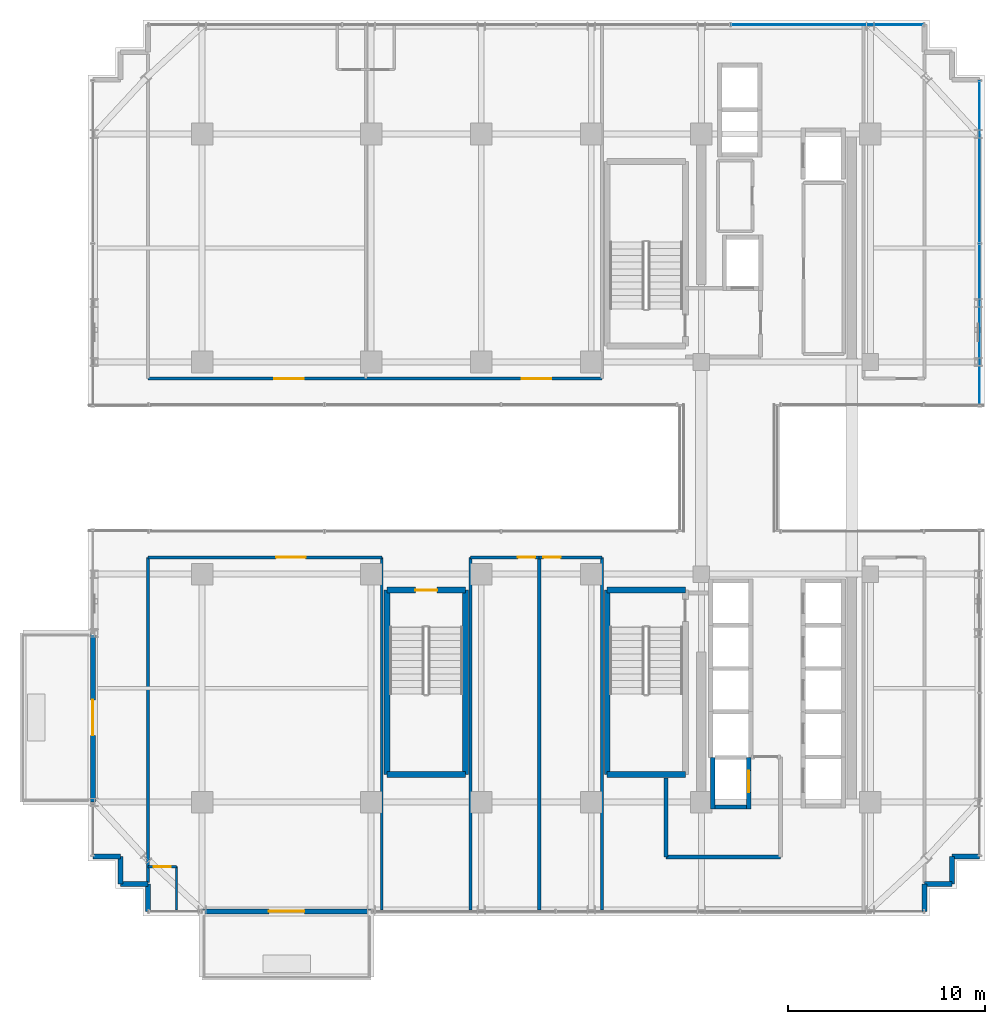
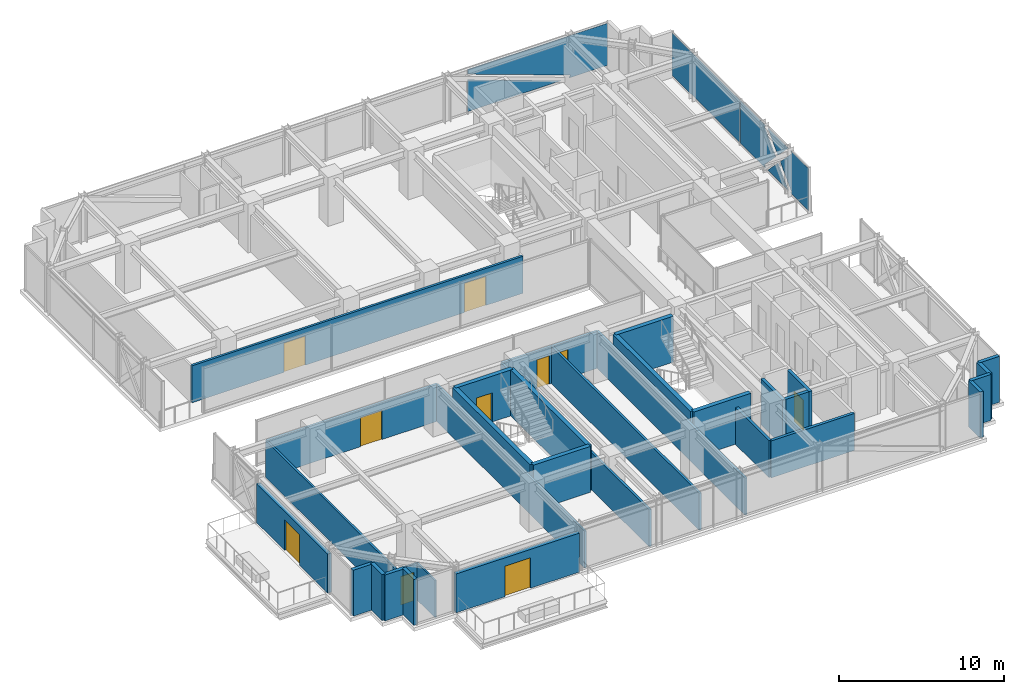
# One storey, part 29 of 36: 33 walls, 10 doors, 3 plates, 10 openings, 2 elements without a shape of their own.
"""IFC4 building model written with IfcOpenShell, lengths in metres."""

from ifc_helpers import new_model, si_unit, direction, frame, frame_2d, origin, origin_2d, place, context, subcontext, project, spatial, polyline, rectangle, outline, extrude, source, transform, mapped, material, layer, layer_set, type_object, element, fill, aggregate, save


model = new_model("IFC4")

# Units and contexts
model_context = context("Model", 3, precision=1e-05, world=origin(), true_north=direction((0.0, 1.0)))
body_context = subcontext(model_context, "Body", "Model", "MODEL_VIEW")
ifc_project = project(units=[si_unit("LENGTHUNIT", "METRE"), si_unit("AREAUNIT", "SQUARE_METRE"), si_unit("VOLUMEUNIT", "CUBIC_METRE"), si_unit("PLANEANGLEUNIT", "RADIAN"), si_unit("MASSUNIT", "GRAM", prefix="KILO")], contexts=[model_context])

# Site, building, storey
site_placement = place(None, origin())
site = spatial("IfcSite", under=ifc_project, at=site_placement, CompositionType="ELEMENT")
building_placement = place(site_placement, origin())
building = spatial("IfcBuilding", under=site, at=building_placement, Name="Nahalor Promenade Grand Hotel", CompositionType="ELEMENT")
storey_placement = place(building_placement, frame((0.0, 0.0, 170.89990234375)))
storey = spatial("IfcBuildingStorey", under=building, at=storey_placement, Name="L43", CompositionType="ELEMENT", Elevation=170.89990234375)

# Curtain wall, plate
ifc_material_1 = material(Name="Anodised Bronze Aluminium EN AW-6063 T6", Category="aluminium")
curtain_wall_type = type_object("IfcCurtainWallType", Name="CW3 Elliptical-Void Collar Unitised Curtain Wall", PredefinedType="USERDEFINED", material=ifc_material_1)
curtain_wall_1_placement = place(storey_placement, origin())
curtain_wall_1 = element("IfcCurtainWall", 1, at=curtain_wall_1_placement, inside=storey, type_object=curtain_wall_type, Name="L43 Curtain Wall CW-L43-N-1", ObjectType="UNITISED_CURTAIN_WALL", PredefinedType="USERDEFINED")
ifc_material_2 = material(Name="Low-E Laminated Solar Glass", Category="glass")
ifc_layer_1 = layer(ifc_material_2, 0.030029296875)
ifc_layer_set_1 = layer_set([ifc_layer_1], Name="Low-E Laminated Solar Glass")
plate_type = type_object("IfcPlateType", Name="CWP3 High-Wind Laminated Bronze IGU 30mm", PredefinedType="CURTAIN_PANEL", material=ifc_layer_set_1)
plate_1_placement = place(storey_placement, frame((14.802490234375, 22.56005859375, 0.14013671875), z_axis=(0.0, 0.0, 1.0), x_axis=(1.0, 0.0, 0.0)))
plate_1 = element("IfcPlate", 2, at=plate_1_placement, type_object=plate_type, Name="CW-L43-N-1 Glazing Panel 3-0", PredefinedType="CURTAIN_PANEL", context=body_context, shape_type="SweptSolid", body=[
    extrude(outline(polyline([(4.887451171875, 3.110107421875), (-4.887451171875, 3.110107421875), (-4.887451171875, 2.76806640625), (2.28857421875, 0.189697265625), (2.220458984375, 0.0), (4.887451171875, 0.0), (4.887451171875, 3.110107421875)])), frame((0.0, 0.01513671875, 0.0), z_axis=(0.0, -1.0, 0.0), x_axis=(1.0, 0.0, 0.0)), (0.0, 0.0, 1.0), 0.030029296875),
    extrude(outline(polyline([(-4.887451171875, 2.343017578125), (-4.887451171875, 0.0), (1.6337890625, 0.0), (-4.887451171875, 2.343017578125)])), frame((0.0, 0.01513671875, 0.0), z_axis=(0.0, -1.0, 0.0), x_axis=(1.0, 0.0, 0.0)), (0.0, 0.0, 1.0), 0.030029296875),
])
aggregate(curtain_wall_1, [plate_1])

# Curtain wall, plates
curtain_wall_2_placement = place(storey_placement, origin())
curtain_wall_2 = element("IfcCurtainWall", 3, at=curtain_wall_2_placement, inside=storey, type_object=curtain_wall_type, Name="L43 Curtain Wall CW-L43-E-2", ObjectType="UNITISED_CURTAIN_WALL", PredefinedType="USERDEFINED")
plate_2_placement = place(storey_placement, frame((22.56005859375, 7.282470703125, 0.14013671875), z_axis=(0.0, 0.0, 1.0), x_axis=(0.0, 1.0, 0.0)))
plate_2 = element("IfcPlate", 4, at=plate_2_placement, type_object=plate_type, Name="CW-L43-E-2 Glazing Panel 0-0", PredefinedType="CURTAIN_PANEL", context=body_context, shape_type="SweptSolid", body=[
    extrude(outline(polyline([(-4.112548828125, 3.110107421875), (-4.112548828125, 0.0), (-1.908203125, 0.0), (-2.04345703125, 0.13134765625), (-0.661376953125, 1.554931640625), (-2.04345703125, 2.978515625), (-1.908203125, 3.110107421875), (-4.112548828125, 3.110107421875)])), frame((0.0, 0.01513671875, 0.0), z_axis=(0.0, -1.0, 0.0), x_axis=(1.0, 0.0, 0.0)), (0.0, 0.0, 1.0), 0.030029296875),
    extrude(outline(polyline([(-0.382568359375, 1.267822265625), (-1.613525390625, 0.0), (0.848388671875, 0.0), (-0.382568359375, 1.267822265625)])), frame((0.0, 0.01513671875, 0.0), z_axis=(0.0, -1.0, 0.0), x_axis=(1.0, 0.0, 0.0)), (0.0, 0.0, 1.0), 0.030029296875),
    extrude(outline(polyline([(-0.382568359375, 1.842041015625), (0.848388671875, 3.110107421875), (-1.613525390625, 3.110107421875), (-0.382568359375, 1.842041015625)])), frame((0.0, 0.01513671875, 0.0), z_axis=(0.0, -1.0, 0.0), x_axis=(1.0, 0.0, 0.0)), (0.0, 0.0, 1.0), 0.030029296875),
    extrude(outline(polyline([(4.112548828125, 0.0), (4.112548828125, 3.110107421875), (1.14306640625, 3.110107421875), (1.2783203125, 2.978515625), (-0.103759765625, 1.554931640625), (1.2783203125, 0.13134765625), (1.14306640625, 0.0), (4.112548828125, 0.0)])), frame((0.0, 0.01513671875, 0.0), z_axis=(0.0, -1.0, 0.0), x_axis=(1.0, 0.0, 0.0)), (0.0, 0.0, 1.0), 0.030029296875),
])
shared_shape_1 = source(origin(), body_context, "Body", "SweptSolid", [
    extrude(rectangle(XDim=8.22509765625, YDim=0.030029296875, at=origin_2d()), origin(), (0.0, 0.0, 1.0), 3.110107421875),
])
plate_3_placement = place(storey_placement, frame((22.56005859375, 15.577392578125, 0.14013671875), z_axis=(0.0, 0.0, 1.0), x_axis=(0.0, 1.0, 0.0)))
plate_3 = element("IfcPlate", 5, at=plate_3_placement, type_object=plate_type, Name="CW-L43-E-2 Glazing Panel 1-0", PredefinedType="CURTAIN_PANEL", context=body_context, shape_type="MappedRepresentation", body=[
    mapped(shared_shape_1, transform((0.0, 0.0, 0.0), scale=1.0)),
])
aggregate(curtain_wall_2, [plate_2, plate_3])

# Walls
ifc_material_3 = material(Name="Concrete B-50 (C40/50)", Category="concrete")
ifc_layer_2 = layer(ifc_material_3, 0.300048828125)
ifc_layer_set_2 = layer_set([ifc_layer_2], Name="Concrete B-50 (C40/50)")
wall_type_1 = type_object("IfcWallType", Name="Wall-ShaftShear-300", PredefinedType="SHEAR", material=ifc_layer_set_2)
shared_shape_2 = source(origin(), body_context, "Body", "SweptSolid", [
    extrude(rectangle(XDim=3.97998046875, YDim=0.300048828125, at=frame_2d((1.989990234375, 0.0))), origin(), (0.0, 0.0, 1.0), 3.39013671875),
])
for number, where, z_axis, x_axis, name in (
    (6, (3.610107421875, -15.590087890625, 0.0), (0.0, 0.0, 1.0), (1.0, 0.0, 0.0), "L43 Exit Stair ST2 Shaft Wall S"),
    (7, (3.610107421875, -6.2099609375, 0.0), (0.0, 0.0, 1.0), (1.0, 0.0, 0.0), "L43 Exit Stair ST2 Shaft Wall N"),
    (8, (-7.590087890625, -15.590087890625, 0.0), (0.0, 0.0, 1.0), (1.0, 0.0, 0.0), "L43 Exit Stair ST3 Shaft Wall S"),
):
    element("IfcWall", number, at=place(storey_placement, frame(where, z_axis=z_axis, x_axis=x_axis)), inside=storey, type_object=wall_type_1, Name=name, PredefinedType="SHEAR", context=body_context, shape_type="MappedRepresentation", body=[
        mapped(shared_shape_2, transform((0.0, 0.0, 0.0), scale=1.0)),
    ])

# Wall, opening, door
wall_1_placement = place(storey_placement, frame((-7.590087890625, -6.2099609375, 0.0), z_axis=(0.0, 0.0, 1.0), x_axis=(1.0, 0.0, 0.0)))
wall_1 = element("IfcWall", 9, at=wall_1_placement, inside=storey, type_object=wall_type_1, Name="L43 Exit Stair ST3 Shaft Wall N", PredefinedType="SHEAR", context=body_context, shape_type="MappedRepresentation", body=[
    mapped(shared_shape_2, transform((0.0, 0.0, 0.0), scale=1.0)),
])
opening_1_placement = place(wall_1_placement, frame((1.43994140625, 0.0, 0.0)))
opening_1 = element("IfcOpeningElement", 10, at=opening_1_placement, cuts=wall_1, Name="Opening D-ST1", PredefinedType="OPENING", context=body_context, shape_type="SweptSolid", body=[
    extrude(rectangle(XDim=1.10009765625, YDim=2.14990234375, at=frame_2d((0.550048828125, 1.074951171875))), frame((0.0, 0.159912109375, 0.0), z_axis=(0.0, -1.0, 0.0), x_axis=(1.0, 0.0, 0.0)), (0.0, 0.0, 1.0), 0.320068359375),
])
ifc_material_4 = material(Name="Steel S355JR", Category="steel")
door_type_1 = type_object("IfcDoorType", Name="Door-StairFire-1100", OperationType="NOTDEFINED", PredefinedType="DOOR", material=ifc_material_4)
shared_shape_3 = source(origin(), body_context, "Body", "SweptSolid", [
    extrude(rectangle(XDim=1.10009765625, YDim=2.14990234375, at=frame_2d((0.550048828125, 1.074951171875))), frame((0.0, 0.02490234375, 0.0), z_axis=(0.0, -1.0, 0.0), x_axis=(1.0, 0.0, 0.0)), (0.0, 0.0, 1.0), 0.050048828125),
])
door_1_placement = place(opening_1_placement, frame((1.10009765625, 0.0, 0.0), z_axis=(0.0, 0.0, 1.0), x_axis=(-1.0, 0.0, 0.0)))
door_1 = element("IfcDoor", 11, at=door_1_placement, inside=storey, type_object=door_type_1, Name="DR-STAIR-ST3-L43", OperationType="SINGLE_SWING_RIGHT", OverallHeight=2.14990234375, OverallWidth=1.10009765625, PredefinedType="DOOR", context=body_context, shape_type="MappedRepresentation", body=[
    mapped(shared_shape_3, transform((0.0, 0.0, 0.0), scale=1.0)),
])
fill(opening_1, door_1)

# Walls
shared_shape_4 = source(origin(), body_context, "Body", "SweptSolid", [
    extrude(rectangle(XDim=9.380126953125, YDim=0.300048828125, at=frame_2d((4.68994140625, 0.0))), origin(), (0.0, 0.0, 1.0), 3.39013671875),
])
for number, where, z_axis, x_axis, name in (
    (12, (3.610107421875, -15.590087890625, 0.0), (0.0, 0.0, 1.0), (0.0, 1.0, 0.0), "L43 Exit Stair ST2 Shaft Wall W"),
    (13, (-7.590087890625, -15.590087890625, 0.0), (0.0, 0.0, 1.0), (0.0, 1.0, 0.0), "L43 Exit Stair ST3 Shaft Wall W"),
    (14, (-3.610107421875, -15.590087890625, 0.0), (0.0, 0.0, 1.0), (0.0, 1.0, 0.0), "L43 Exit Stair ST3 Shaft Wall E"),
):
    element("IfcWall", number, at=place(storey_placement, frame(where, z_axis=z_axis, x_axis=x_axis)), inside=storey, type_object=wall_type_1, Name=name, PredefinedType="SHEAR", context=body_context, shape_type="MappedRepresentation", body=[
        mapped(shared_shape_4, transform((0.0, 0.0, 0.0), scale=1.0)),
    ])
ifc_layer_3 = layer(ifc_material_3, 0.219970703125)
ifc_layer_set_3 = layer_set([ifc_layer_3], Name="Concrete B-50 (C40/50)")
wall_type_2 = type_object("IfcWallType", Name="Wall-LiftShaft-220", PredefinedType="SHEAR", material=ifc_layer_set_3)
shared_shape_5 = source(origin(), body_context, "Body", "SweptSolid", [
    extrude(rectangle(XDim=2.635009765625, YDim=0.219970703125, at=frame_2d((1.3173828125, 0.0))), origin(), (0.0, 0.0, 1.0), 3.39013671875),
])
wall_2_placement = place(storey_placement, frame((8.97998046875, -17.360107421875, 0.0), z_axis=(0.0, 0.0, 1.0), x_axis=(0.0, 1.0, 0.0)))
element("IfcWall", 15, at=wall_2_placement, inside=storey, type_object=wall_type_2, Name="L43 Lift FL2 Hoistway Wall W", PredefinedType="SHEAR", context=body_context, shape_type="MappedRepresentation", body=[
    mapped(shared_shape_5, transform((0.0, 0.0, 0.0), scale=1.0)),
])

# Wall, opening, door
wall_3_placement = place(storey_placement, frame((10.820068359375, -17.360107421875, 0.0), z_axis=(0.0, 0.0, 1.0), x_axis=(0.0, 1.0, 0.0)))
wall_3 = element("IfcWall", 16, at=wall_3_placement, inside=storey, type_object=wall_type_2, Name="L43 Lift FL2 Hoistway Wall E", PredefinedType="SHEAR", context=body_context, shape_type="MappedRepresentation", body=[
    mapped(shared_shape_5, transform((0.0, 0.0, 0.0), scale=1.0)),
])
opening_2_placement = place(wall_3_placement, frame((0.860107421875, 0.0, 0.0)))
opening_2 = element("IfcOpeningElement", 17, at=opening_2_placement, cuts=wall_3, Name="Opening LD-02", PredefinedType="OPENING", context=body_context, shape_type="SweptSolid", body=[
    extrude(rectangle(XDim=1.10009765625, YDim=2.199951171875, at=frame_2d((0.550048828125, 1.10009765625))), frame((0.0, 0.119873046875, 0.0), z_axis=(0.0, -1.0, 0.0), x_axis=(1.0, 0.0, 0.0)), (0.0, 0.0, 1.0), 0.239990234375),
])
door_type_2 = type_object("IfcDoorType", Name="Door-LiftFF-1100", OperationType="DOUBLE_DOOR_SLIDING", PredefinedType="DOOR", material=ifc_material_4)
shared_shape_6 = source(origin(), body_context, "Body", "SweptSolid", [
    extrude(rectangle(XDim=1.10009765625, YDim=2.199951171875, at=frame_2d((0.550048828125, 1.10009765625))), frame((0.0, 0.02490234375, 0.0), z_axis=(0.0, -1.0, 0.0), x_axis=(1.0, 0.0, 0.0)), (0.0, 0.0, 1.0), 0.050048828125),
])
door_2_placement = place(opening_2_placement, frame((1.10009765625, 0.0, 0.0), z_axis=(0.0, 0.0, 1.0), x_axis=(-1.0, 0.0, 0.0)))
door_2 = element("IfcDoor", 18, at=door_2_placement, inside=storey, type_object=door_type_2, Name="DR-LIFT-FL2-L43", OperationType="DOUBLE_DOOR_SLIDING", OverallHeight=2.199951171875, OverallWidth=1.10009765625, PredefinedType="DOOR", context=body_context, shape_type="MappedRepresentation", body=[
    mapped(shared_shape_6, transform((0.0, 0.0, 0.0), scale=1.0)),
])
fill(opening_2, door_2)

# Wall
shared_shape_7 = source(origin(), body_context, "Body", "SweptSolid", [
    extrude(rectangle(XDim=1.619873046875, YDim=0.219970703125, at=frame_2d((0.81005859375, 0.0))), origin(), (0.0, 0.0, 1.0), 3.39013671875),
])
wall_4_placement = place(storey_placement, frame((9.090087890625, -17.25, 0.0), z_axis=(0.0, 0.0, 1.0), x_axis=(1.0, 0.0, 0.0)))
element("IfcWall", 19, at=wall_4_placement, inside=storey, type_object=wall_type_2, Name="L43 Lift FL2 Hoistway Wall S", PredefinedType="SHEAR", context=body_context, shape_type="MappedRepresentation", body=[
    mapped(shared_shape_7, transform((0.0, 0.0, 0.0), scale=1.0)),
])

# Wall, opening, door
ifc_material_5 = material(Name="Concrete B-40 (C32/40)", Category="concrete")
ifc_layer_4 = layer(ifc_material_5, 0.260009765625)
ifc_layer_set_4 = layer_set([ifc_layer_4], Name="Concrete B-40 (C32/40)")
wall_type_3 = type_object("IfcWallType", Name="Wall-BalconyWall-260", PredefinedType="STANDARD", material=ifc_layer_set_4)
shared_shape_8 = source(origin(), body_context, "Body", "SweptSolid", [
    extrude(rectangle(XDim=8.60009765625, YDim=0.260009765625, at=frame_2d((4.300048828125, 0.0))), origin(), (0.0, 0.0, 1.0), 2.8701171875),
])
wall_5_placement = place(storey_placement, frame((-17.0, -22.56005859375, 0.0), z_axis=(0.0, 0.0, 1.0), x_axis=(1.0, 0.0, 0.0)))
wall_5 = element("IfcWall", 20, at=wall_5_placement, inside=storey, type_object=wall_type_3, Name="W-L43-BALC-S-2", PredefinedType="STANDARD", context=body_context, shape_type="MappedRepresentation", body=[
    mapped(shared_shape_8, transform((0.0, 0.0, 0.0), scale=1.0)),
])
opening_3_placement = place(wall_5_placement, frame((3.39990234375, 0.0, 0.0)))
opening_3 = element("IfcOpeningElement", 21, at=opening_3_placement, cuts=wall_5, Name="Opening D-BC1", PredefinedType="OPENING", context=body_context, shape_type="SweptSolid", body=[
    extrude(rectangle(XDim=1.800048828125, YDim=2.25, at=frame_2d((0.89990234375, 1.125))), frame((0.0, 0.139892578125, 0.0), z_axis=(0.0, -1.0, 0.0), x_axis=(1.0, 0.0, 0.0)), (0.0, 0.0, 1.0), 0.280029296875),
])
door_type_3 = type_object("IfcDoorType", Name="Door-BalconySlide-1800", OperationType="DOUBLE_DOOR_SLIDING", PredefinedType="DOOR", material=ifc_material_1)
shared_shape_9 = source(origin(), body_context, "Body", "SweptSolid", [
    extrude(rectangle(XDim=1.800048828125, YDim=2.25, at=frame_2d((0.89990234375, 1.125))), frame((0.0, 0.02490234375, 0.0), z_axis=(0.0, -1.0, 0.0), x_axis=(1.0, 0.0, 0.0)), (0.0, 0.0, 1.0), 0.050048828125),
])
door_3_placement = place(opening_3_placement, frame((1.800048828125, 0.0, 0.0), z_axis=(0.0, 0.0, 1.0), x_axis=(-1.0, 0.0, 0.0)))
door_3 = element("IfcDoor", 22, at=door_3_placement, inside=storey, type_object=door_type_3, Name="DR-L43-BALC-S-2", OperationType="DOUBLE_DOOR_SLIDING", OverallHeight=2.25, OverallWidth=1.800048828125, PredefinedType="DOOR", context=body_context, shape_type="MappedRepresentation", body=[
    mapped(shared_shape_9, transform((0.0, 0.0, 0.0), scale=1.0)),
])
fill(opening_3, door_3)

wall_6_placement = place(storey_placement, frame((-22.56005859375, -17.0, 0.0), z_axis=(0.0, 0.0, 1.0), x_axis=(0.0, 1.0, 0.0)))
wall_6 = element("IfcWall", 23, at=wall_6_placement, inside=storey, type_object=wall_type_3, Name="W-L43-BALC-W-2", PredefinedType="STANDARD", context=body_context, shape_type="MappedRepresentation", body=[
    mapped(shared_shape_8, transform((0.0, 0.0, 0.0), scale=1.0)),
])
opening_4_placement = place(wall_6_placement, frame((3.39990234375, 0.0, 0.0)))
opening_4 = element("IfcOpeningElement", 24, at=opening_4_placement, cuts=wall_6, Name="Opening D-BC1", PredefinedType="OPENING", context=body_context, shape_type="SweptSolid", body=[
    extrude(rectangle(XDim=1.800048828125, YDim=2.25, at=frame_2d((0.89990234375, 1.125))), frame((0.0, 0.139892578125, 0.0), z_axis=(0.0, -1.0, 0.0), x_axis=(1.0, 0.0, 0.0)), (0.0, 0.0, 1.0), 0.280029296875),
])
door_4_placement = place(opening_4_placement, origin())
door_4 = element("IfcDoor", 25, at=door_4_placement, inside=storey, type_object=door_type_3, Name="DR-L43-BALC-W-2", OperationType="DOUBLE_DOOR_SLIDING", OverallHeight=2.25, OverallWidth=1.800048828125, PredefinedType="DOOR", context=body_context, shape_type="MappedRepresentation", body=[
    mapped(shared_shape_9, transform((0.0, 0.0, 0.0), scale=1.0)),
])
fill(opening_4, door_4)

# Walls
ifc_layer_5 = layer(ifc_material_5, 0.25)
ifc_layer_set_5 = layer_set([ifc_layer_5], Name="Concrete B-40 (C32/40)")
wall_type_4 = type_object("IfcWallType", Name="Wall-BronzePier-250", PredefinedType="STANDARD", material=ifc_layer_set_5)
shared_shape_10 = source(origin(), body_context, "Body", "SweptSolid", [
    extrude(rectangle(XDim=1.400146484375, YDim=0.25, at=frame_2d((0.7001953125, 0.0))), origin(), (0.0, 0.0, 1.0), 3.39013671875),
])
for number, where, z_axis, x_axis, name in (
    (26, (19.760009765625, -22.56005859375, 0.0), (0.0, 0.0, 1.0), (0.0, 1.0, 0.0), "W-L43-SR-01"),
    (27, (21.159912109375, -19.760009765625, 0.0), (0.0, 0.0, 1.0), (1.0, 0.0, 0.0), "W-L43-SR-04"),
    (28, (-22.56005859375, -19.760009765625, 0.0), (0.0, 0.0, 1.0), (1.0, 0.0, 0.0), "W-L43-SR-13"),
    (29, (-19.760009765625, -22.56005859375, 0.0), (0.0, 0.0, 1.0), (0.0, 1.0, 0.0), "W-L43-SR-16"),
):
    element("IfcWall", number, at=place(storey_placement, frame(where, z_axis=z_axis, x_axis=x_axis)), inside=storey, type_object=wall_type_4, Name=name, PredefinedType="STANDARD", context=body_context, shape_type="MappedRepresentation", body=[
        mapped(shared_shape_10, transform((0.0, 0.0, 0.0), scale=1.0)),
    ])
shared_shape_11 = source(origin(), body_context, "Body", "SweptSolid", [
    extrude(rectangle(XDim=1.39990234375, YDim=0.25, at=frame_2d((0.699951171875, 0.0))), origin(), (0.0, 0.0, 1.0), 3.39013671875),
])
for number, where, z_axis, x_axis, name in (
    (30, (19.760009765625, -21.159912109375, 0.0), (0.0, 0.0, 1.0), (1.0, 0.0, 0.0), "W-L43-SR-02"),
    (31, (21.159912109375, -21.159912109375, 0.0), (0.0, 0.0, 1.0), (0.0, 1.0, 0.0), "W-L43-SR-03"),
    (32, (-21.159912109375, -21.159912109375, 0.0), (0.0, 0.0, 1.0), (0.0, 1.0, 0.0), "W-L43-SR-14"),
    (33, (-21.159912109375, -21.159912109375, 0.0), (0.0, 0.0, 1.0), (1.0, 0.0, 0.0), "W-L43-SR-15"),
):
    element("IfcWall", number, at=place(storey_placement, frame(where, z_axis=z_axis, x_axis=x_axis)), inside=storey, type_object=wall_type_4, Name=name, PredefinedType="STANDARD", context=body_context, shape_type="MappedRepresentation", body=[
        mapped(shared_shape_11, transform((0.0, 0.0, 0.0), scale=1.0)),
    ])
ifc_layer_6 = layer(ifc_material_5, 0.199951171875)
ifc_layer_set_6 = layer_set([ifc_layer_6], Name="Concrete B-40 (C32/40)")
wall_type_5 = type_object("IfcWallType", Name="Wall-PartFire-200", PredefinedType="PARTITIONING", material=ifc_layer_set_6)
shared_shape_12 = source(origin(), body_context, "Body", "SweptSolid", [
    extrude(rectangle(XDim=5.81982421875, YDim=0.199951171875, at=frame_2d((2.909912109375, 0.0))), origin(), (0.0, 0.0, 1.0), 2.72998046875),
])
wall_7_placement = place(storey_placement, frame((6.60009765625, -19.800048828125, 0.0), z_axis=(0.0, 0.0, 1.0), x_axis=(1.0, 0.0, 0.0)))
element("IfcWall", 34, at=wall_7_placement, inside=storey, type_object=wall_type_5, Name="W-L43-FF2-S1", PredefinedType="PARTITIONING", context=body_context, shape_type="MappedRepresentation", body=[
    mapped(shared_shape_12, transform((0.0, 0.0, 0.0), scale=1.0)),
])
shared_shape_13 = source(origin(), body_context, "Body", "SweptSolid", [
    extrude(rectangle(XDim=4.030029296875, YDim=0.199951171875, at=frame_2d((2.01513671875, 0.0))), origin(), (0.0, 0.0, 1.0), 2.72998046875),
])
wall_8_placement = place(storey_placement, frame((6.60009765625, -19.800048828125, 0.0), z_axis=(0.0, 0.0, 1.0), x_axis=(0.0, 1.0, 0.0)))
element("IfcWall", 35, at=wall_8_placement, inside=storey, type_object=wall_type_5, Name="W-L43-FF2-W1", PredefinedType="PARTITIONING", context=body_context, shape_type="MappedRepresentation", body=[
    mapped(shared_shape_13, transform((0.0, 0.0, 0.0), scale=1.0)),
])
ifc_material_6 = material(Name="Acoustic Mineral Gypsum", Category="gypsum")
ifc_layer_7 = layer(ifc_material_6, 0.159912109375)
ifc_layer_set_7 = layer_set([ifc_layer_7], Name="Acoustic Mineral Gypsum")
wall_type_6 = type_object("IfcWallType", Name="Wall-PartCorridor-160", PredefinedType="PARTITIONING", material=ifc_layer_set_7)
shared_shape_14 = source(origin(), body_context, "Body", "SweptSolid", [
    extrude(rectangle(XDim=17.949951171875, YDim=0.159912109375, at=frame_2d((8.97509765625, 0.0))), origin(), (0.0, 0.0, 1.0), 2.72998046875),
])
for number, where, z_axis, x_axis, name in (
    (36, (-3.340087890625, -22.5, 0.0), (0.0, 0.0, 1.0), (0.0, 1.0, 0.0), "W-L43-SCB1-W"),
    (37, (0.14990234375, -22.5, 0.0), (0.0, 0.0, 1.0), (0.0, 1.0, 0.0), "W-L43-SCB1-E"),
    (38, (3.340087890625, -22.5, 0.0), (0.0, 0.0, 1.0), (0.0, 1.0, 0.0), "W-L43-SCB2-E"),
):
    element("IfcWall", number, at=place(storey_placement, frame(where, z_axis=z_axis, x_axis=x_axis)), inside=storey, type_object=wall_type_6, Name=name, PredefinedType="PARTITIONING", context=body_context, shape_type="MappedRepresentation", body=[
        mapped(shared_shape_14, transform((0.0, 0.0, 0.0), scale=1.0)),
    ])

# Wall, opening, door
ifc_layer_8 = layer(ifc_material_6, 0.1201171875)
ifc_layer_set_8 = layer_set([ifc_layer_8], Name="Acoustic Mineral Gypsum")
wall_type_7 = type_object("IfcWallType", Name="Wall-PartBath-120", PredefinedType="PARTITIONING", material=ifc_layer_set_8)
shared_shape_15 = source(origin(), body_context, "Body", "SweptSolid", [
    extrude(rectangle(XDim=1.449951171875, YDim=0.1201171875, at=frame_2d((0.72509765625, 0.0))), origin(), (0.0, 0.0, 1.0), 2.72998046875),
])
wall_9_placement = place(storey_placement, frame((-19.760009765625, -20.280029296875, 0.0), z_axis=(0.0, 0.0, 1.0), x_axis=(1.0, 0.0, 0.0)))
wall_9 = element("IfcWall", 39, at=wall_9_placement, inside=storey, type_object=wall_type_7, Name="W-L43-S1-BH", PredefinedType="PARTITIONING", context=body_context, shape_type="MappedRepresentation", body=[
    mapped(shared_shape_15, transform((0.0, 0.0, 0.0), scale=1.0)),
])
opening_5_placement = place(wall_9_placement, frame((0.284912109375, 0.0, 0.0)))
opening_5 = element("IfcOpeningElement", 40, at=opening_5_placement, cuts=wall_9, Name="Opening D-03", PredefinedType="OPENING", context=body_context, shape_type="SweptSolid", body=[
    extrude(rectangle(XDim=0.8798828125, YDim=2.10009765625, at=frame_2d((0.43994140625, 1.050048828125))), frame((0.0, 0.070068359375, 0.0), z_axis=(0.0, -1.0, 0.0), x_axis=(1.0, 0.0, 0.0)), (0.0, 0.0, 1.0), 0.14013671875),
])
ifc_material_7 = material(Name="Fire-Rated Timber Composite", Category="wood")
door_type_4 = type_object("IfcDoorType", Name="Door-BathSwing-880", OperationType="NOTDEFINED", PredefinedType="DOOR", material=ifc_material_7)
shared_shape_16 = source(origin(), body_context, "Body", "SweptSolid", [
    extrude(rectangle(XDim=0.8798828125, YDim=2.10009765625, at=frame_2d((0.43994140625, 1.050048828125))), frame((0.0, 0.02490234375, 0.0), z_axis=(0.0, -1.0, 0.0), x_axis=(1.0, 0.0, 0.0)), (0.0, 0.0, 1.0), 0.050048828125),
])
door_5_placement = place(opening_5_placement, frame((0.8798828125, 0.0, 0.0), z_axis=(0.0, 0.0, 1.0), x_axis=(-1.0, 0.0, 0.0)))
door_5 = element("IfcDoor", 41, at=door_5_placement, inside=storey, type_object=door_type_4, Name="DR-L43-S1-BATH", OperationType="SINGLE_SWING_RIGHT", OverallHeight=2.10009765625, OverallWidth=0.8798828125, PredefinedType="DOOR", context=body_context, shape_type="MappedRepresentation", body=[
    mapped(shared_shape_16, transform((0.0, 0.0, 0.0), scale=1.0)),
])
fill(opening_5, door_5)

# Walls
shared_shape_17 = source(origin(), body_context, "Body", "SweptSolid", [
    extrude(rectangle(XDim=2.219970703125, YDim=0.1201171875, at=frame_2d((1.10986328125, 0.0))), origin(), (0.0, 0.0, 1.0), 2.72998046875),
])
wall_10_placement = place(storey_placement, frame((-18.31005859375, -22.5, 0.0), z_axis=(0.0, 0.0, 1.0), x_axis=(0.0, 1.0, 0.0)))
element("IfcWall", 42, at=wall_10_placement, inside=storey, type_object=wall_type_7, Name="W-L43-S1-BV", PredefinedType="PARTITIONING", context=body_context, shape_type="MappedRepresentation", body=[
    mapped(shared_shape_17, transform((0.0, 0.0, 0.0), scale=1.0)),
])
ifc_layer_9 = layer(ifc_material_6, 0.139892578125)
ifc_layer_set_9 = layer_set([ifc_layer_9], Name="Acoustic Mineral Gypsum")
wall_type_8 = type_object("IfcWallType", Name="Wall-PartSuite-140", PredefinedType="PARTITIONING", material=ifc_layer_set_9)
shared_shape_18 = source(origin(), body_context, "Body", "SweptSolid", [
    extrude(rectangle(XDim=17.949951171875, YDim=0.139892578125, at=frame_2d((8.97509765625, 0.0))), origin(), (0.0, 0.0, 1.0), 2.72998046875),
])
wall_11_placement = place(storey_placement, frame((-7.860107421875, -22.5, 0.0), z_axis=(0.0, 0.0, 1.0), x_axis=(0.0, 1.0, 0.0)))
element("IfcWall", 43, at=wall_11_placement, inside=storey, type_object=wall_type_8, Name="W-L43-SW-ENDE", PredefinedType="PARTITIONING", context=body_context, shape_type="MappedRepresentation", body=[
    mapped(shared_shape_18, transform((0.0, 0.0, 0.0), scale=1.0)),
])

# Wall, openings, doors
shared_shape_19 = source(origin(), body_context, "Body", "SweptSolid", [
    extrude(rectangle(XDim=23.10009765625, YDim=0.159912109375, at=frame_2d((11.550048828125, 0.0))), origin(), (0.0, 0.0, 1.0), 2.72998046875),
])
wall_12_placement = place(storey_placement, frame((-19.760009765625, 4.550048828125, 0.0), z_axis=(0.0, 0.0, 1.0), x_axis=(1.0, 0.0, 0.0)))
wall_12 = element("IfcWall", 44, at=wall_12_placement, inside=storey, type_object=wall_type_6, Name="W-L43-CORR-N", PredefinedType="PARTITIONING", context=body_context, shape_type="MappedRepresentation", body=[
    mapped(shared_shape_19, transform((0.0, 0.0, 0.0), scale=1.0)),
])
opening_6_placement = place(wall_12_placement, frame((6.416015625, 0.0, 0.0)))
opening_6 = element("IfcOpeningElement", 45, at=opening_6_placement, cuts=wall_12, Name="Opening D-02", PredefinedType="OPENING", context=body_context, shape_type="SweptSolid", body=[
    extrude(rectangle(XDim=1.5, YDim=2.14990234375, at=frame_2d((0.75, 1.074951171875))), frame((0.0, 0.08984375, 0.0), z_axis=(0.0, -1.0, 0.0), x_axis=(1.0, 0.0, 0.0)), (0.0, 0.0, 1.0), 0.179931640625),
])
opening_7_placement = place(wall_12_placement, frame((19.01806640625, 0.0, 0.0)))
opening_7 = element("IfcOpeningElement", 46, at=opening_7_placement, cuts=wall_12, Name="Opening D-02", PredefinedType="OPENING", context=body_context, shape_type="SweptSolid", body=[
    extrude(rectangle(XDim=1.5, YDim=2.14990234375, at=frame_2d((0.75, 1.074951171875))), frame((0.0, 0.08984375, 0.0), z_axis=(0.0, -1.0, 0.0), x_axis=(1.0, 0.0, 0.0)), (0.0, 0.0, 1.0), 0.179931640625),
])
door_type_5 = type_object("IfcDoorType", Name="Door-SuiteDouble-1500", OperationType="DOUBLE_DOOR_SINGLE_SWING", PredefinedType="DOOR", material=ifc_material_7)
shared_shape_20 = source(origin(), body_context, "Body", "SweptSolid", [
    extrude(rectangle(XDim=1.5, YDim=2.14990234375, at=frame_2d((0.75, 1.074951171875))), frame((0.0, 0.02490234375, 0.0), z_axis=(0.0, -1.0, 0.0), x_axis=(1.0, 0.0, 0.0)), (0.0, 0.0, 1.0), 0.050048828125),
])
door_6_placement = place(opening_6_placement, origin())
door_6 = element("IfcDoor", 47, at=door_6_placement, inside=storey, type_object=door_type_5, Name="DR-L43-N1-ENT", OperationType="DOUBLE_DOOR_SINGLE_SWING", OverallHeight=2.14990234375, OverallWidth=1.5, PredefinedType="DOOR", context=body_context, shape_type="MappedRepresentation", body=[
    mapped(shared_shape_20, transform((0.0, 0.0, 0.0), scale=1.0)),
])
fill(opening_6, door_6)
door_7_placement = place(opening_7_placement, origin())
door_7 = element("IfcDoor", 48, at=door_7_placement, inside=storey, type_object=door_type_5, Name="DR-L43-N2-ENT", OperationType="DOUBLE_DOOR_SINGLE_SWING", OverallHeight=2.14990234375, OverallWidth=1.5, PredefinedType="DOOR", context=body_context, shape_type="MappedRepresentation", body=[
    mapped(shared_shape_20, transform((0.0, 0.0, 0.0), scale=1.0)),
])
fill(opening_7, door_7)

# Wall
shared_shape_21 = source(origin(), body_context, "Body", "SweptSolid", [
    extrude(rectangle(XDim=16.530029296875, YDim=0.139892578125, at=frame_2d((8.26513671875, 0.0))), origin(), (0.0, 0.0, 1.0), 2.72998046875),
])
wall_13_placement = place(storey_placement, frame((-19.760009765625, -21.080078125, 0.0), z_axis=(0.0, 0.0, 1.0), x_axis=(0.0, 1.0, 0.0)))
element("IfcWall", 49, at=wall_13_placement, inside=storey, type_object=wall_type_8, Name="W-L43-SW-ENDW", PredefinedType="PARTITIONING", context=body_context, shape_type="MappedRepresentation", body=[
    mapped(shared_shape_21, transform((0.0, 0.0, 0.0), scale=1.0)),
])

# Wall, opening, door
shared_shape_22 = source(origin(), body_context, "Body", "SweptSolid", [
    extrude(rectangle(XDim=11.89990234375, YDim=0.159912109375, at=frame_2d((5.949951171875, 0.0))), origin(), (0.0, 0.0, 1.0), 2.72998046875),
])
wall_14_placement = place(storey_placement, frame((-19.760009765625, -4.550048828125, 0.0), z_axis=(0.0, 0.0, 1.0), x_axis=(1.0, 0.0, 0.0)))
wall_14 = element("IfcWall", 50, at=wall_14_placement, inside=storey, type_object=wall_type_6, Name="W-L43-CORR-S", PredefinedType="PARTITIONING", context=body_context, shape_type="MappedRepresentation", body=[
    mapped(shared_shape_22, transform((0.0, 0.0, 0.0), scale=1.0)),
])
opening_8_placement = place(wall_14_placement, frame((6.52294921875, 0.0, 0.0)))
opening_8 = element("IfcOpeningElement", 51, at=opening_8_placement, cuts=wall_14, Name="Opening D-02", PredefinedType="OPENING", context=body_context, shape_type="SweptSolid", body=[
    extrude(rectangle(XDim=1.5, YDim=2.14990234375, at=frame_2d((0.75, 1.074951171875))), frame((0.0, 0.08984375, 0.0), z_axis=(0.0, -1.0, 0.0), x_axis=(1.0, 0.0, 0.0)), (0.0, 0.0, 1.0), 0.179931640625),
])
door_8_placement = place(opening_8_placement, frame((1.5, 0.0, 0.0), z_axis=(0.0, 0.0, 1.0), x_axis=(-1.0, 0.0, 0.0)))
door_8 = element("IfcDoor", 52, at=door_8_placement, inside=storey, type_object=door_type_5, Name="DR-L43-S1-ENT", OperationType="DOUBLE_DOOR_SINGLE_SWING", OverallHeight=2.14990234375, OverallWidth=1.5, PredefinedType="DOOR", context=body_context, shape_type="MappedRepresentation", body=[
    mapped(shared_shape_20, transform((0.0, 0.0, 0.0), scale=1.0)),
])
fill(opening_8, door_8)

shared_shape_23 = source(origin(), body_context, "Body", "SweptSolid", [
    extrude(rectangle(XDim=3.489990234375, YDim=0.159912109375, at=frame_2d((1.7451171875, 0.0))), origin(), (0.0, 0.0, 1.0), 2.72998046875),
])
wall_15_placement = place(storey_placement, frame((-3.340087890625, -4.550048828125, 0.0), z_axis=(0.0, 0.0, 1.0), x_axis=(1.0, 0.0, 0.0)))
wall_15 = element("IfcWall", 53, at=wall_15_placement, inside=storey, type_object=wall_type_6, Name="W-L43-SCB1-N", PredefinedType="PARTITIONING", context=body_context, shape_type="MappedRepresentation", body=[
    mapped(shared_shape_23, transform((0.0, 0.0, 0.0), scale=1.0)),
])
opening_9_placement = place(wall_15_placement, frame((2.39990234375, 0.0, 0.0)))
opening_9 = element("IfcOpeningElement", 54, at=opening_9_placement, cuts=wall_15, Name="Opening D-03", PredefinedType="OPENING", context=body_context, shape_type="SweptSolid", body=[
    extrude(rectangle(XDim=0.8798828125, YDim=2.10009765625, at=frame_2d((0.43994140625, 1.050048828125))), frame((0.0, 0.08984375, 0.0), z_axis=(0.0, -1.0, 0.0), x_axis=(1.0, 0.0, 0.0)), (0.0, 0.0, 1.0), 0.179931640625),
])
door_9_placement = place(opening_9_placement, frame((0.8798828125, 0.0, 0.0), z_axis=(0.0, 0.0, 1.0), x_axis=(-1.0, 0.0, 0.0)))
door_9 = element("IfcDoor", 55, at=door_9_placement, inside=storey, type_object=door_type_4, Name="DR-L43-SCB1", OperationType="SINGLE_SWING_LEFT", OverallHeight=2.10009765625, OverallWidth=0.8798828125, PredefinedType="DOOR", context=body_context, shape_type="MappedRepresentation", body=[
    mapped(shared_shape_16, transform((0.0, 0.0, 0.0), scale=1.0)),
])
fill(opening_9, door_9)

shared_shape_24 = source(origin(), body_context, "Body", "SweptSolid", [
    extrude(rectangle(XDim=3.190185546875, YDim=0.159912109375, at=frame_2d((1.59521484375, 0.0))), origin(), (0.0, 0.0, 1.0), 2.72998046875),
])
wall_16_placement = place(storey_placement, frame((0.14990234375, -4.550048828125, 0.0), z_axis=(0.0, 0.0, 1.0), x_axis=(1.0, 0.0, 0.0)))
wall_16 = element("IfcWall", 56, at=wall_16_placement, inside=storey, type_object=wall_type_6, Name="W-L43-SCB2-N", PredefinedType="PARTITIONING", context=body_context, shape_type="MappedRepresentation", body=[
    mapped(shared_shape_24, transform((0.0, 0.0, 0.0), scale=1.0)),
])
opening_10_placement = place(wall_16_placement, frame((0.2099609375, 0.0, 0.0)))
opening_10 = element("IfcOpeningElement", 57, at=opening_10_placement, cuts=wall_16, Name="Opening D-03", PredefinedType="OPENING", context=body_context, shape_type="SweptSolid", body=[
    extrude(rectangle(XDim=0.8798828125, YDim=2.10009765625, at=frame_2d((0.43994140625, 1.050048828125))), frame((0.0, 0.08984375, 0.0), z_axis=(0.0, -1.0, 0.0), x_axis=(1.0, 0.0, 0.0)), (0.0, 0.0, 1.0), 0.179931640625),
])
door_10_placement = place(opening_10_placement, frame((0.8798828125, 0.0, 0.0), z_axis=(0.0, 0.0, 1.0), x_axis=(-1.0, 0.0, 0.0)))
door_10 = element("IfcDoor", 58, at=door_10_placement, inside=storey, type_object=door_type_4, Name="DR-L43-SCB2", OperationType="SINGLE_SWING_RIGHT", OverallHeight=2.10009765625, OverallWidth=0.8798828125, PredefinedType="DOOR", context=body_context, shape_type="MappedRepresentation", body=[
    mapped(shared_shape_16, transform((0.0, 0.0, 0.0), scale=1.0)),
])
fill(opening_10, door_10)

save(model, "model.ifc")
